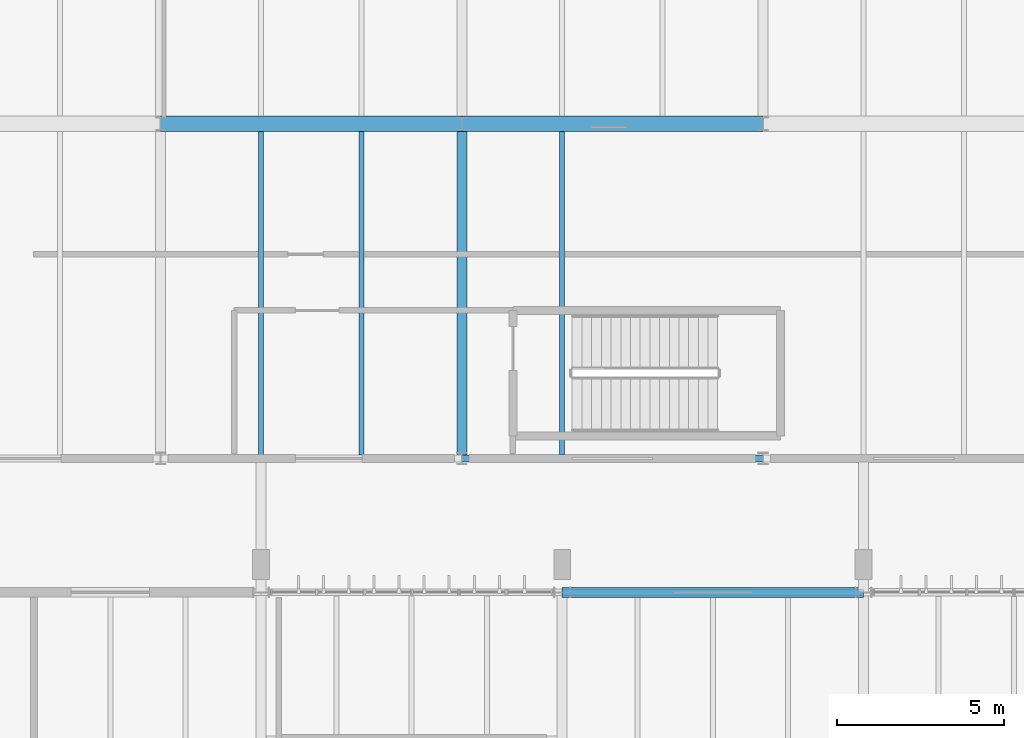
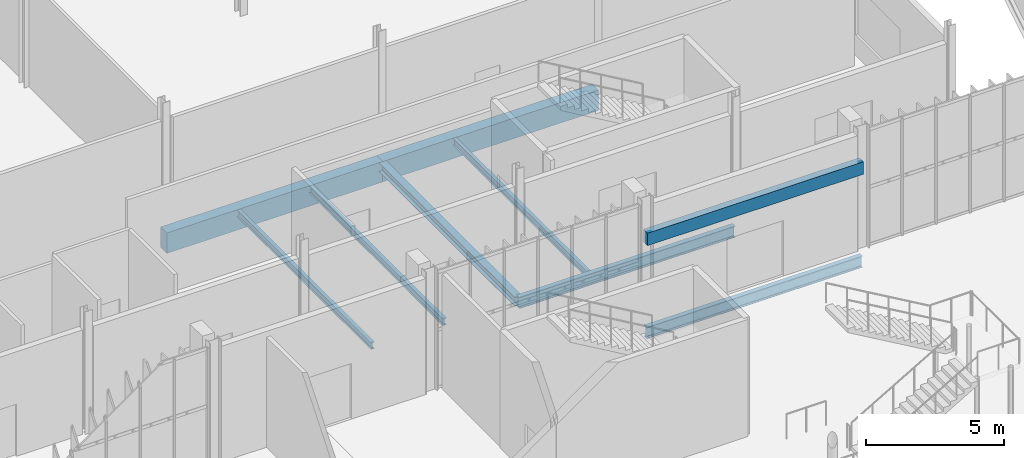
# One storey, part 67 of 158: 9 beams.
"""IFC4 building model written with IfcOpenShell, lengths in metres."""

from ifc_helpers import new_model, si_unit, derived_unit, direction, frame, origin, origin_2d, place, context, subcontext, project, spatial, rectangle, i_section, extrude, material, material_profile, profile_set, type_object, element, save


model = new_model("IFC4")

# Units and contexts
model_context = context("Model", 3, precision=1e-05, world=origin(), true_north=direction((0.0, 1.0)))
body_context = subcontext(model_context, "Body", "Model", "MODEL_VIEW")
ifc_project = project(units=[si_unit("LENGTHUNIT", "METRE"), si_unit("AREAUNIT", "SQUARE_METRE"), si_unit("VOLUMEUNIT", "CUBIC_METRE"), si_unit("PLANEANGLEUNIT", "RADIAN"), si_unit("MASSUNIT", "GRAM", prefix="KILO"), si_unit("THERMODYNAMICTEMPERATUREUNIT", "KELVIN"), si_unit("TIMEUNIT", "SECOND"), derived_unit("THERMALTRANSMITTANCEUNIT", [(si_unit("MASSUNIT", "GRAM", prefix="KILO"), 1), (si_unit("THERMODYNAMICTEMPERATUREUNIT", "KELVIN"), -1), (si_unit("TIMEUNIT", "SECOND"), -3)])], contexts=[model_context])

# Site, building, storey
site_placement = place(None, origin())
site = spatial("IfcSite", under=ifc_project, at=site_placement, CompositionType="ELEMENT")
building_placement = place(site_placement, origin())
building = spatial("IfcBuilding", under=site, at=building_placement, Name="Cambertide Market Hall", CompositionType="ELEMENT")
storey_placement = place(building_placement, origin())
storey = spatial("IfcBuildingStorey", under=building, at=storey_placement, Name="L01", CompositionType="ELEMENT", Elevation=0.0)

# Beams
ifc_material_1 = material(Name="Concrete B35", Category="concrete")
ifc_material_profile_1 = material_profile(ifc_material_1, rectangle(XDim=0.449951171875, YDim=0.89990234375, at=origin_2d()), Name="RC 450x900")
ifc_profile_set_1 = profile_set([ifc_material_profile_1], Name="Concrete B35")
beam_type_1 = type_object("IfcBeamType", Name="Concrete Girder RC 450x900", PredefinedType="BEAM", material=ifc_profile_set_1)
for number, where, z_axis, x_axis, name in (
    (1, (75.0, 106.0, -0.81005859375), (1.0, 0.0, 0.0), (0.0, 1.0, 0.0), "Level 1 Beam BM-V2X-L01-8-2"),
    (2, (84.0, 106.0, -0.81005859375), (1.0, 0.0, 0.0), (0.0, 1.0, 0.0), "Level 1 Beam BM-V2X-L01-9-2"),
):
    element("IfcBeam", number, at=place(storey_placement, frame(where, z_axis=z_axis, x_axis=x_axis)), inside=storey, type_object=beam_type_1, Name=name, PredefinedType="BEAM", context=body_context, shape_type="SweptSolid", body=[
        extrude(rectangle(XDim=0.449951171875, YDim=0.89990234375, at=origin_2d()), origin(), (0.0, 0.0, 1.0), 9.0),
    ])
ifc_material_2 = material(Name="Precast concrete B35", Category="concrete")
ifc_material_profile_2 = material_profile(ifc_material_2, rectangle(XDim=0.300048828125, YDim=0.550048828125, at=origin_2d()), Name="RC 300x550")
ifc_profile_set_2 = profile_set([ifc_material_profile_2], Name="Precast concrete B35")
beam_type_2 = type_object("IfcBeamType", Name="Exterior Structural Lintel RC 300x550", PredefinedType="LINTEL", material=ifc_profile_set_2)
beam_1_placement = place(storey_placement, frame((87.0, 92.0, 3.60009765625), z_axis=(1.0, 0.0, 0.0), x_axis=(0.0, 1.0, 0.0)))
element("IfcBeam", 3, at=beam_1_placement, inside=storey, type_object=beam_type_2, Name="Level 1 North Portal Lintel 6", PredefinedType="LINTEL", context=body_context, shape_type="SweptSolid", body=[
    extrude(rectangle(XDim=0.300048828125, YDim=0.550048828125, at=origin_2d()), origin(), (0.0, 0.0, 1.0), 9.0),
])
ifc_material_3 = material(Name="Steel S355", Category="steel")
ifc_material_profile_3 = material_profile(ifc_material_3, i_section(OverallWidth=0.300048828125, OverallDepth=0.39990234375, WebThickness=0.013427734375, FlangeThickness=0.02392578125, FilletRadius=0.027099609375, at=origin_2d()), Name="HEB 400")
ifc_profile_set_3 = profile_set([ifc_material_profile_3], Name="Steel S355")
beam_type_3 = type_object("IfcBeamType", Name="Steel Girder HEB 400", PredefinedType="BEAM", material=ifc_profile_set_3)
beam_2_placement = place(storey_placement, frame((84.0, 96.0, -0.56005859375), z_axis=(0.0, 1.0, 0.0), x_axis=(-1.0, 0.0, 0.0)))
element("IfcBeam", 4, at=beam_2_placement, inside=storey, type_object=beam_type_3, Name="Level 1 Beam BM-V2Y-L01-9-1", PredefinedType="BEAM", context=body_context, shape_type="SweptSolid", body=[
    extrude(i_section(OverallWidth=0.300048828125, OverallDepth=0.39990234375, WebThickness=0.013427734375, FlangeThickness=0.02392578125, FilletRadius=0.027099609375, at=origin_2d()), origin(), (0.0, 0.0, 1.0), 10.0),
])
ifc_material_4 = material(Name="Steel S355", Category="steel")
ifc_material_profile_4 = material_profile(ifc_material_4, i_section(OverallWidth=0.199951171875, OverallDepth=0.5, WebThickness=0.01025390625, FlangeThickness=0.01611328125, FilletRadius=0.02099609375, at=origin_2d()), Name="IPE 500")
ifc_profile_set_4 = profile_set([ifc_material_profile_4], Name="Steel S355")
beam_type_4 = type_object("IfcBeamType", Name="Steel Girder IPE 500", PredefinedType="BEAM", material=ifc_profile_set_4)
for number, where, z_axis, x_axis, name in (
    (5, (87.0, 92.0, -0.56005859375), (1.0, 0.0, 0.0), (0.0, 1.0, 0.0), "Level 1 Beam BM-V1N-L01-6"),
    (6, (84.0, 96.0, -0.610107421875), (1.0, 0.0, 0.0), (0.0, 1.0, 0.0), "Level 1 Beam BM-V2X-L01-9-1"),
):
    element("IfcBeam", number, at=place(storey_placement, frame(where, z_axis=z_axis, x_axis=x_axis)), inside=storey, type_object=beam_type_4, Name=name, PredefinedType="BEAM", context=body_context, shape_type="SweptSolid", body=[
        extrude(i_section(OverallWidth=0.199951171875, OverallDepth=0.5, WebThickness=0.01025390625, FlangeThickness=0.01611328125, FilletRadius=0.02099609375, at=origin_2d()), origin(), (0.0, 0.0, 1.0), 9.0),
    ])
ifc_material_5 = material(Name="Steel S275", Category="steel")
ifc_material_profile_5 = material_profile(ifc_material_5, i_section(OverallWidth=0.14990234375, OverallDepth=0.300048828125, WebThickness=0.007080078125, FlangeThickness=0.0107421875, FilletRadius=0.014892578125, at=origin_2d()), Name="IPE 300")
ifc_profile_set_5 = profile_set([ifc_material_profile_5], Name="Steel S275")
beam_type_5 = type_object("IfcBeamType", Name="Steel Secondary Joist IPE 300", PredefinedType="JOIST", material=ifc_profile_set_5)
for number, where, z_axis, x_axis, name in (
    (7, (78.0, 96.10791015625, -0.510009765625), (0.0, 1.0, 0.0), (-1.0, 0.0, 0.0), "Level 1 Joist JS-V2-L01-8-1-1"),
    (8, (81.0, 96.10791015625, -0.510009765625), (0.0, 1.0, 0.0), (-1.0, 0.0, 0.0), "Level 1 Joist JS-V2-L01-8-1-2"),
    (9, (87.0, 96.10791015625, -0.510009765625), (0.0, 1.0, 0.0), (-1.0, 0.0, 0.0), "Level 1 Joist JS-V2-L01-9-1-1"),
):
    element("IfcBeam", number, at=place(storey_placement, frame(where, z_axis=z_axis, x_axis=x_axis)), inside=storey, type_object=beam_type_5, Name=name, PredefinedType="JOIST", context=body_context, shape_type="SweptSolid", body=[
        extrude(i_section(OverallWidth=0.14990234375, OverallDepth=0.300048828125, WebThickness=0.007080078125, FlangeThickness=0.0107421875, FilletRadius=0.014892578125, at=origin_2d()), origin(), (0.0, 0.0, 1.0), 9.6591796875),
    ])

save(model, "model.ifc")
